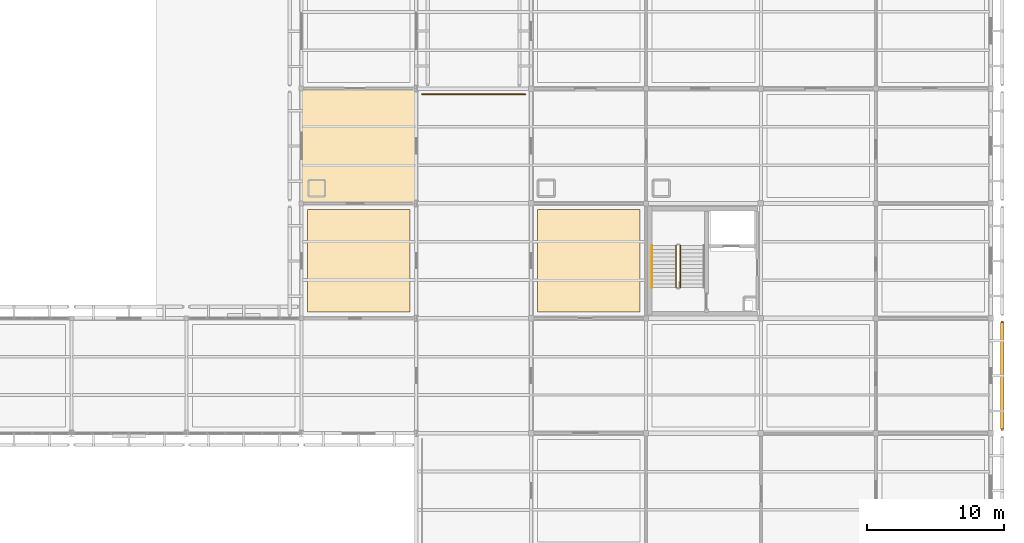
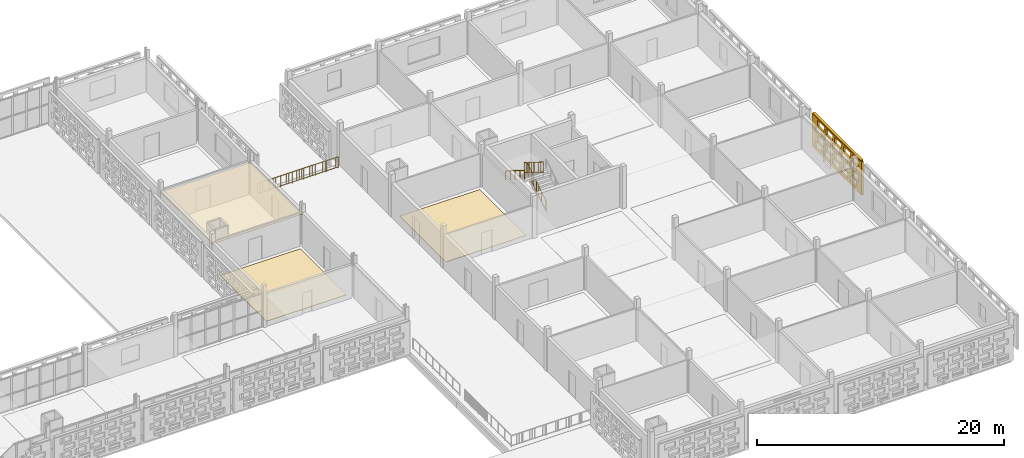
# One storey, part 135 of 140: 4 coverings, 4 railings, 1 shading device, 20 openings.
"""IFC4 building model written with IfcOpenShell, lengths in metres."""

from ifc_helpers import new_model, si_unit, direction, frame, frame_2d, origin, origin_2d, place, context, subcontext, project, spatial, rectangle, circle, extrude, material, layer, layer_set, type_object, element, save


model = new_model("IFC4")

# Units and contexts
model_context = context("Model", 3, precision=1e-05, world=origin(), true_north=direction((0.0, 1.0)))
body_context = subcontext(model_context, "Body", "Model", "MODEL_VIEW")
ifc_project = project(units=[si_unit("LENGTHUNIT", "METRE"), si_unit("AREAUNIT", "SQUARE_METRE"), si_unit("VOLUMEUNIT", "CUBIC_METRE"), si_unit("PLANEANGLEUNIT", "RADIAN"), si_unit("MASSUNIT", "GRAM", prefix="KILO")], contexts=[model_context])

# Site, building, storey
site_placement = place(None, origin())
site = spatial("IfcSite", under=ifc_project, at=site_placement, CompositionType="ELEMENT")
building_placement = place(site_placement, origin())
building = spatial("IfcBuilding", under=site, at=building_placement, Name="Varnapada Polytechnic", CompositionType="ELEMENT")
storey_placement = place(building_placement, frame((0.0, 0.0, 13.800048828125)))
storey = spatial("IfcBuildingStorey", under=building, at=storey_placement, Name="L03", CompositionType="ELEMENT", Elevation=13.800048828125)

# Coverings
ifc_material_1 = material(Name="End-Grain Timber Studio Block Flooring", Category="wood")
ifc_layer_1 = layer(ifc_material_1, 0.054931640625)
ifc_layer_set_1 = layer_set([ifc_layer_1], Name="End-Grain Timber Studio Block Flooring")
covering_type_1 = type_object("IfcCoveringType", Name="Floor Finish FLR-04", PredefinedType="FLOORING", material=ifc_layer_set_1)
covering_1_placement = place(storey_placement, frame((130.199951171875, 96.60009765625, 0.0), z_axis=(0.0, 0.0, 1.0), x_axis=(1.0, 0.0, 0.0)))
element("IfcCovering", 1, at=covering_1_placement, inside=storey, type_object=covering_type_1, Name="L03 floor finish panel (16,12)", PredefinedType="FLOORING", context=body_context, shape_type="SweptSolid", body=[
    extrude(rectangle(XDim=7.5, YDim=7.5, at=origin_2d()), origin(), (0.0, 0.0, 1.0), 0.054931640625),
])
ifc_material_2 = material(Name="Acoustic Rubber Seminar Flooring")
ifc_layer_2 = layer(ifc_material_2, 0.0400390625)
ifc_layer_set_2 = layer_set([ifc_layer_2], Name="Acoustic Rubber Seminar Flooring")
covering_type_2 = type_object("IfcCoveringType", Name="Floor Finish FLR-06", PredefinedType="FLOORING", material=ifc_layer_set_2)
covering_2_placement = place(storey_placement, frame((147.0, 96.60009765625, 0.0), z_axis=(0.0, 0.0, 1.0), x_axis=(1.0, 0.0, 0.0)))
element("IfcCovering", 2, at=covering_2_placement, inside=storey, type_object=covering_type_2, Name="L03 floor finish panel (18,12)", PredefinedType="FLOORING", context=body_context, shape_type="SweptSolid", body=[
    extrude(rectangle(XDim=7.5, YDim=7.5, at=origin_2d()), origin(), (0.0, 0.0, 1.0), 0.0400390625),
])

# Railings
ifc_material_3 = material(Name="Brushed Stainless Steel 316", Category="steel")
railing_type_1 = type_object("IfcRailingType", Name="Stair Wall Handrail SHR-01", PredefinedType="HANDRAIL", material=ifc_material_3)
railing_1_placement = place(storey_placement, frame((151.64990234375, 97.72998046875, 2.27490234375)))
element("IfcRailing", 3, at=railing_1_placement, inside=storey, type_object=railing_type_1, Name="L03 ST-5 stair handrail 2", PredefinedType="HANDRAIL", context=body_context, shape_type="SweptSolid", body=[
    extrude(circle(Radius=0.02392578125, at=origin_2d()), frame((0.0, 0.0, 0.8759765625), z_axis=(0.0, -0.847998304005, 0.529998940003), x_axis=(1.0, 0.0, 0.0)), (0.0, 0.0, 1.0), 3.632080078125),
    extrude(circle(Radius=0.02099609375, at=origin_2d()), origin(), (0.0, 0.0, 1.0), 0.851806640625),
    extrude(circle(Radius=0.02099609375, at=origin_2d()), frame((0.0, -0.77001953125, 0.481201171875)), (0.0, 0.0, 1.0), 0.851806640625),
    extrude(circle(Radius=0.02099609375, at=origin_2d()), frame((0.0, -1.5400390625, 0.96240234375)), (0.0, 0.0, 1.0), 0.851806640625),
    extrude(circle(Radius=0.02099609375, at=origin_2d()), frame((0.0, -2.31005859375, 1.44384765625)), (0.0, 0.0, 1.0), 0.851806640625),
    extrude(circle(Radius=0.02099609375, at=origin_2d()), frame((0.0, -3.080078125, 1.925048828125)), (0.0, 0.0, 1.0), 0.851806640625),
])
railing_type_2 = type_object("IfcRailingType", Name="Stair Well Guard Rail SGR-01", PredefinedType="BALUSTRADE", material=ifc_material_3)
railing_2_placement = place(storey_placement, frame((153.699951171875, 94.64990234375, 0.175048828125)))
element("IfcRailing", 4, at=railing_2_placement, inside=storey, type_object=railing_type_2, Name="L03 ST-5 stair guard 1", PredefinedType="BALUSTRADE", context=body_context, shape_type="SweptSolid", body=[
    extrude(circle(Radius=0.02392578125, at=origin_2d()), frame((0.0, 0.0, 1.09619140625), z_axis=(0.0, 0.848028513186, 0.529950602248), x_axis=(-1.0, 0.0, 0.0)), (0.0, 0.0, 1.0), 3.632080078125),
    extrude(circle(Radius=0.02392578125, at=origin_2d()), frame((0.0, 0.0, 0.10009765625), z_axis=(0.0, 0.848028513186, 0.529950602248), x_axis=(-1.0, 0.0, 0.0)), (0.0, 0.0, 1.0), 3.632080078125),
    extrude(circle(Radius=0.02099609375, at=origin_2d()), origin(), (0.0, 0.0, 1.0), 1.072021484375),
    extrude(circle(Radius=0.02099609375, at=origin_2d()), frame((0.0, 0.77001953125, 0.481201171875)), (0.0, 0.0, 1.0), 1.072021484375),
    extrude(circle(Radius=0.02099609375, at=origin_2d()), frame((0.0, 1.5400390625, 0.96240234375)), (0.0, 0.0, 1.0), 1.072021484375),
    extrude(circle(Radius=0.02099609375, at=origin_2d()), frame((0.0, 2.31005859375, 1.443603515625)), (0.0, 0.0, 1.0), 1.072021484375),
    extrude(circle(Radius=0.02099609375, at=origin_2d()), frame((0.0, 3.080078125, 1.9248046875)), (0.0, 0.0, 1.0), 1.072021484375),
    extrude(circle(Radius=0.010009765625, at=origin_2d()), frame((0.0, 0.205322265625, 0.228515625)), (0.0, 0.0, 1.0), 0.971923828125),
    extrude(circle(Radius=0.010009765625, at=origin_2d()), frame((0.0, 0.41064453125, 0.356689453125)), (0.0, 0.0, 1.0), 0.971923828125),
    extrude(circle(Radius=0.010009765625, at=origin_2d()), frame((0.0, 0.615966796875, 0.485107421875)), (0.0, 0.0, 1.0), 0.971923828125),
    extrude(circle(Radius=0.010009765625, at=origin_2d()), frame((0.0, 0.8212890625, 0.61328125)), (0.0, 0.0, 1.0), 0.971923828125),
    extrude(circle(Radius=0.010009765625, at=origin_2d()), frame((0.0, 1.026611328125, 0.74169921875)), (0.0, 0.0, 1.0), 0.971923828125),
    extrude(circle(Radius=0.010009765625, at=origin_2d()), frame((0.0, 1.23193359375, 0.8701171875)), (0.0, 0.0, 1.0), 0.971923828125),
    extrude(circle(Radius=0.010009765625, at=origin_2d()), frame((0.0, 1.437255859375, 0.998291015625)), (0.0, 0.0, 1.0), 0.971923828125),
    extrude(circle(Radius=0.010009765625, at=origin_2d()), frame((0.0, 1.642822265625, 1.126708984375)), (0.0, 0.0, 1.0), 0.971923828125),
    extrude(circle(Radius=0.010009765625, at=origin_2d()), frame((0.0, 1.84814453125, 1.2548828125)), (0.0, 0.0, 1.0), 0.971923828125),
    extrude(circle(Radius=0.010009765625, at=origin_2d()), frame((0.0, 2.053466796875, 1.38330078125)), (0.0, 0.0, 1.0), 0.971923828125),
    extrude(circle(Radius=0.010009765625, at=origin_2d()), frame((0.0, 2.2587890625, 1.51171875)), (0.0, 0.0, 1.0), 0.971923828125),
    extrude(circle(Radius=0.010009765625, at=origin_2d()), frame((0.0, 2.464111328125, 1.639892578125)), (0.0, 0.0, 1.0), 0.971923828125),
    extrude(circle(Radius=0.010009765625, at=origin_2d()), frame((0.0, 2.66943359375, 1.768310546875)), (0.0, 0.0, 1.0), 0.971923828125),
    extrude(circle(Radius=0.010009765625, at=origin_2d()), frame((0.0, 2.874755859375, 1.896484375)), (0.0, 0.0, 1.0), 0.971923828125),
])
railing_3_placement = place(storey_placement, frame((153.39990234375, 97.72998046875, 2.27490234375)))
element("IfcRailing", 5, at=railing_3_placement, inside=storey, type_object=railing_type_2, Name="L03 ST-5 stair guard 3", PredefinedType="BALUSTRADE", context=body_context, shape_type="SweptSolid", body=[
    extrude(circle(Radius=0.02392578125, at=origin_2d()), frame((0.0, 0.0, 1.09619140625), z_axis=(0.0, -0.847998304005, 0.529998940003), x_axis=(1.0, 0.0, 0.0)), (0.0, 0.0, 1.0), 3.632080078125),
    extrude(circle(Radius=0.02392578125, at=origin_2d()), frame((0.0, 0.0, 0.10009765625), z_axis=(0.0, -0.847998304005, 0.529998940003), x_axis=(1.0, 0.0, 0.0)), (0.0, 0.0, 1.0), 3.632080078125),
    extrude(circle(Radius=0.02099609375, at=origin_2d()), origin(), (0.0, 0.0, 1.0), 1.072021484375),
    extrude(circle(Radius=0.02099609375, at=origin_2d()), frame((0.0, -0.77001953125, 0.481201171875)), (0.0, 0.0, 1.0), 1.072021484375),
    extrude(circle(Radius=0.02099609375, at=origin_2d()), frame((0.0, -1.5400390625, 0.96240234375)), (0.0, 0.0, 1.0), 1.072021484375),
    extrude(circle(Radius=0.02099609375, at=origin_2d()), frame((0.0, -2.31005859375, 1.44384765625)), (0.0, 0.0, 1.0), 1.072021484375),
    extrude(circle(Radius=0.02099609375, at=origin_2d()), frame((0.0, -3.080078125, 1.925048828125)), (0.0, 0.0, 1.0), 1.072021484375),
    extrude(circle(Radius=0.010009765625, at=origin_2d()), frame((0.0, -0.205322265625, 0.228515625)), (0.0, 0.0, 1.0), 0.971923828125),
    extrude(circle(Radius=0.010009765625, at=origin_2d()), frame((0.0, -0.41064453125, 0.356689453125)), (0.0, 0.0, 1.0), 0.971923828125),
    extrude(circle(Radius=0.010009765625, at=origin_2d()), frame((0.0, -0.615966796875, 0.485107421875)), (0.0, 0.0, 1.0), 0.971923828125),
    extrude(circle(Radius=0.010009765625, at=origin_2d()), frame((0.0, -0.8212890625, 0.613525390625)), (0.0, 0.0, 1.0), 0.971923828125),
    extrude(circle(Radius=0.010009765625, at=origin_2d()), frame((0.0, -1.026611328125, 0.74169921875)), (0.0, 0.0, 1.0), 0.971923828125),
    extrude(circle(Radius=0.010009765625, at=origin_2d()), frame((0.0, -1.23193359375, 0.8701171875)), (0.0, 0.0, 1.0), 0.971923828125),
    extrude(circle(Radius=0.010009765625, at=origin_2d()), frame((0.0, -1.437255859375, 0.99853515625)), (0.0, 0.0, 1.0), 0.971923828125),
    extrude(circle(Radius=0.010009765625, at=origin_2d()), frame((0.0, -1.642822265625, 1.126708984375)), (0.0, 0.0, 1.0), 0.971923828125),
    extrude(circle(Radius=0.010009765625, at=origin_2d()), frame((0.0, -1.84814453125, 1.255126953125)), (0.0, 0.0, 1.0), 0.971923828125),
    extrude(circle(Radius=0.010009765625, at=origin_2d()), frame((0.0, -2.053466796875, 1.383544921875)), (0.0, 0.0, 1.0), 0.971923828125),
    extrude(circle(Radius=0.010009765625, at=origin_2d()), frame((0.0, -2.2587890625, 1.51171875)), (0.0, 0.0, 1.0), 0.971923828125),
    extrude(circle(Radius=0.010009765625, at=origin_2d()), frame((0.0, -2.464111328125, 1.64013671875)), (0.0, 0.0, 1.0), 0.971923828125),
    extrude(circle(Radius=0.010009765625, at=origin_2d()), frame((0.0, -2.66943359375, 1.7685546875)), (0.0, 0.0, 1.0), 0.971923828125),
    extrude(circle(Radius=0.010009765625, at=origin_2d()), frame((0.0, -2.874755859375, 1.896728515625)), (0.0, 0.0, 1.0), 0.971923828125),
])

# Covering
ifc_material_4 = material(Name="Deep Acoustic Auditorium Cloud Baffle")
ifc_layer_3 = layer(ifc_material_4, 0.06494140625)
ifc_layer_set_3 = layer_set([ifc_layer_3], Name="Deep Acoustic Auditorium Cloud Baffle")
covering_type_3 = type_object("IfcCoveringType", Name="Suspended Ceiling CLG-07", PredefinedType="CEILING", material=ifc_layer_set_3)
covering_3_placement = place(storey_placement, frame((130.199951171875, 105.0, 3.017578125), z_axis=(0.0, 0.0, 1.0), x_axis=(1.0, 0.0, 0.0)))
element("IfcCovering", 6, at=covering_3_placement, inside=storey, type_object=covering_type_3, Name="L03 suspended acoustic ceiling (16,13)", PredefinedType="CEILING", context=body_context, shape_type="SweptSolid", body=[
    extrude(rectangle(XDim=8.419921875, YDim=8.419921875, at=origin_2d()), origin(), (0.0, 0.0, 1.0), 0.06494140625),
])

# Railing
ifc_material_5 = material(Name="Painted galvanized steel", Category="steel")
railing_type_3 = type_object("IfcRailingType", Name="Terrace Guard Rail GRD-01", PredefinedType="BALUSTRADE", material=ifc_material_5)
railing_4_placement = place(storey_placement, frame((134.820068359375, 108.780029296875, 0.0)))
element("IfcRailing", 7, at=railing_4_placement, inside=storey, type_object=railing_type_3, Name="L03 terrace perimeter guard rail 10", PredefinedType="BALUSTRADE", context=body_context, shape_type="SweptSolid", body=[
    extrude(circle(Radius=0.02392578125, at=origin_2d()), frame((0.0, 0.0, 1.09619140625), z_axis=(1.0, 0.0, 0.0), x_axis=(0.0, 1.0, 0.0)), (0.0, 0.0, 1.0), 7.559814453125),
    extrude(circle(Radius=0.02392578125, at=origin_2d()), frame((0.0, 0.0, 0.10009765625), z_axis=(1.0, 0.0, 0.0), x_axis=(0.0, 1.0, 0.0)), (0.0, 0.0, 1.0), 7.559814453125),
    extrude(circle(Radius=0.02099609375, at=origin_2d()), origin(), (0.0, 0.0, 1.0), 1.072021484375),
    extrude(circle(Radius=0.02099609375, at=origin_2d()), frame((1.080078125, 0.0, 0.0)), (0.0, 0.0, 1.0), 1.072021484375),
    extrude(circle(Radius=0.02099609375, at=origin_2d()), frame((2.159912109375, 0.0, 0.0)), (0.0, 0.0, 1.0), 1.072021484375),
    extrude(circle(Radius=0.02099609375, at=origin_2d()), frame((3.239990234375, 0.0, 0.0)), (0.0, 0.0, 1.0), 1.072021484375),
    extrude(circle(Radius=0.02099609375, at=origin_2d()), frame((4.31982421875, 0.0, 0.0)), (0.0, 0.0, 1.0), 1.072021484375),
    extrude(circle(Radius=0.02099609375, at=origin_2d()), frame((5.39990234375, 0.0, 0.0)), (0.0, 0.0, 1.0), 1.072021484375),
    extrude(circle(Radius=0.02099609375, at=origin_2d()), frame((6.479736328125, 0.0, 0.0)), (0.0, 0.0, 1.0), 1.072021484375),
    extrude(circle(Radius=0.02099609375, at=origin_2d()), frame((7.559814453125, 0.0, 0.0)), (0.0, 0.0, 1.0), 1.072021484375),
    extrude(circle(Radius=0.010009765625, at=origin_2d()), frame((0.243896484375, 0.0, 0.10009765625)), (0.0, 0.0, 1.0), 0.971923828125),
    extrude(circle(Radius=0.010009765625, at=origin_2d()), frame((0.48779296875, 0.0, 0.10009765625)), (0.0, 0.0, 1.0), 0.971923828125),
    extrude(circle(Radius=0.010009765625, at=origin_2d()), frame((0.731689453125, 0.0, 0.10009765625)), (0.0, 0.0, 1.0), 0.971923828125),
    extrude(circle(Radius=0.010009765625, at=origin_2d()), frame((0.975341796875, 0.0, 0.10009765625)), (0.0, 0.0, 1.0), 0.971923828125),
    extrude(circle(Radius=0.010009765625, at=origin_2d()), frame((1.21923828125, 0.0, 0.10009765625)), (0.0, 0.0, 1.0), 0.971923828125),
    extrude(circle(Radius=0.010009765625, at=origin_2d()), frame((1.463134765625, 0.0, 0.10009765625)), (0.0, 0.0, 1.0), 0.971923828125),
    extrude(circle(Radius=0.010009765625, at=origin_2d()), frame((1.70703125, 0.0, 0.10009765625)), (0.0, 0.0, 1.0), 0.971923828125),
    extrude(circle(Radius=0.010009765625, at=origin_2d()), frame((1.950927734375, 0.0, 0.10009765625)), (0.0, 0.0, 1.0), 0.971923828125),
    extrude(circle(Radius=0.010009765625, at=origin_2d()), frame((2.19482421875, 0.0, 0.10009765625)), (0.0, 0.0, 1.0), 0.971923828125),
    extrude(circle(Radius=0.010009765625, at=origin_2d()), frame((2.438720703125, 0.0, 0.10009765625)), (0.0, 0.0, 1.0), 0.971923828125),
    extrude(circle(Radius=0.010009765625, at=origin_2d()), frame((2.6826171875, 0.0, 0.10009765625)), (0.0, 0.0, 1.0), 0.971923828125),
    extrude(circle(Radius=0.010009765625, at=origin_2d()), frame((2.92626953125, 0.0, 0.10009765625)), (0.0, 0.0, 1.0), 0.971923828125),
    extrude(circle(Radius=0.010009765625, at=origin_2d()), frame((3.170166015625, 0.0, 0.10009765625)), (0.0, 0.0, 1.0), 0.971923828125),
    extrude(circle(Radius=0.010009765625, at=origin_2d()), frame((3.4140625, 0.0, 0.10009765625)), (0.0, 0.0, 1.0), 0.971923828125),
    extrude(circle(Radius=0.010009765625, at=origin_2d()), frame((3.657958984375, 0.0, 0.10009765625)), (0.0, 0.0, 1.0), 0.971923828125),
    extrude(circle(Radius=0.010009765625, at=origin_2d()), frame((3.90185546875, 0.0, 0.10009765625)), (0.0, 0.0, 1.0), 0.971923828125),
    extrude(circle(Radius=0.010009765625, at=origin_2d()), frame((4.145751953125, 0.0, 0.10009765625)), (0.0, 0.0, 1.0), 0.971923828125),
    extrude(circle(Radius=0.010009765625, at=origin_2d()), frame((4.3896484375, 0.0, 0.10009765625)), (0.0, 0.0, 1.0), 0.971923828125),
    extrude(circle(Radius=0.010009765625, at=origin_2d()), frame((4.633544921875, 0.0, 0.10009765625)), (0.0, 0.0, 1.0), 0.971923828125),
    extrude(circle(Radius=0.010009765625, at=origin_2d()), frame((4.877197265625, 0.0, 0.10009765625)), (0.0, 0.0, 1.0), 0.971923828125),
    extrude(circle(Radius=0.010009765625, at=origin_2d()), frame((5.12109375, 0.0, 0.10009765625)), (0.0, 0.0, 1.0), 0.971923828125),
    extrude(circle(Radius=0.010009765625, at=origin_2d()), frame((5.364990234375, 0.0, 0.10009765625)), (0.0, 0.0, 1.0), 0.971923828125),
    extrude(circle(Radius=0.010009765625, at=origin_2d()), frame((5.60888671875, 0.0, 0.10009765625)), (0.0, 0.0, 1.0), 0.971923828125),
    extrude(circle(Radius=0.010009765625, at=origin_2d()), frame((5.852783203125, 0.0, 0.10009765625)), (0.0, 0.0, 1.0), 0.971923828125),
    extrude(circle(Radius=0.010009765625, at=origin_2d()), frame((6.0966796875, 0.0, 0.10009765625)), (0.0, 0.0, 1.0), 0.971923828125),
    extrude(circle(Radius=0.010009765625, at=origin_2d()), frame((6.340576171875, 0.0, 0.10009765625)), (0.0, 0.0, 1.0), 0.971923828125),
    extrude(circle(Radius=0.010009765625, at=origin_2d()), frame((6.58447265625, 0.0, 0.10009765625)), (0.0, 0.0, 1.0), 0.971923828125),
    extrude(circle(Radius=0.010009765625, at=origin_2d()), frame((6.828125, 0.0, 0.10009765625)), (0.0, 0.0, 1.0), 0.971923828125),
    extrude(circle(Radius=0.010009765625, at=origin_2d()), frame((7.072021484375, 0.0, 0.10009765625)), (0.0, 0.0, 1.0), 0.971923828125),
    extrude(circle(Radius=0.010009765625, at=origin_2d()), frame((7.31591796875, 0.0, 0.10009765625)), (0.0, 0.0, 1.0), 0.971923828125),
])

# Covering, openings
ifc_material_6 = material(Name="Earth-toned architectural terracotta screen block", Category="masonry")
ifc_layer_4 = layer(ifc_material_6, 0.1201171875)
ifc_layer_set_4 = layer_set([ifc_layer_4], Name="Earth-toned architectural terracotta screen block")
covering_type_4 = type_object("IfcCoveringType", Name="Terracotta Screen Cladding CLD-01", PredefinedType="CLADDING", material=ifc_layer_set_4)
covering_4_placement = place(storey_placement, frame((177.25, 92.199951171875, 0.0), z_axis=(0.0, 0.0, 1.0), x_axis=(0.0, -1.0, 0.0)))
covering_4 = element("IfcCovering", 8, at=covering_4_placement, inside=storey, type_object=covering_type_4, Name="L03 perforated terracotta block screen (96)", PredefinedType="CLADDING", context=body_context, shape_type="SweptSolid", body=[
    extrude(rectangle(XDim=8.0, YDim=0.179931640625, at=frame_2d((4.0, 0.0))), origin(), (0.0, 0.0, 1.0), 3.320068359375),
])
opening_1_placement = place(covering_4_placement, frame((0.5, 0.0, 0.265625)))
element("IfcOpeningElement", 9, at=opening_1_placement, cuts=covering_4, Name="Screen perforation TBS-L03-095.1", PredefinedType="OPENING", context=body_context, shape_type="SweptSolid", body=[
    extrude(rectangle(XDim=1.0400390625, YDim=0.5810546875, at=frame_2d((0.52001953125, 0.29052734375))), frame((0.0, 0.099853515625, 0.0), z_axis=(0.0, -1.0, 0.0), x_axis=(1.0, 0.0, 0.0)), (0.0, 0.0, 1.0), 0.199951171875),
])
opening_2_placement = place(covering_4_placement, frame((1.89990234375, 0.0, 0.265625)))
element("IfcOpeningElement", 10, at=opening_2_placement, cuts=covering_4, Name="Screen perforation TBS-L03-095.2", PredefinedType="OPENING", context=body_context, shape_type="SweptSolid", body=[
    extrude(rectangle(XDim=1.0400390625, YDim=0.5810546875, at=frame_2d((0.52001953125, 0.29052734375))), frame((0.0, 0.099853515625, 0.0), z_axis=(0.0, -1.0, 0.0), x_axis=(1.0, 0.0, 0.0)), (0.0, 0.0, 1.0), 0.199951171875),
])
opening_3_placement = place(covering_4_placement, frame((3.300048828125, 0.0, 0.265625)))
element("IfcOpeningElement", 11, at=opening_3_placement, cuts=covering_4, Name="Screen perforation TBS-L03-095.3", PredefinedType="OPENING", context=body_context, shape_type="SweptSolid", body=[
    extrude(rectangle(XDim=1.0400390625, YDim=0.5810546875, at=frame_2d((0.52001953125, 0.29052734375))), frame((0.0, 0.099853515625, 0.0), z_axis=(0.0, -1.0, 0.0), x_axis=(1.0, 0.0, 0.0)), (0.0, 0.0, 1.0), 0.199951171875),
])
opening_4_placement = place(covering_4_placement, frame((4.699951171875, 0.0, 0.265625)))
element("IfcOpeningElement", 12, at=opening_4_placement, cuts=covering_4, Name="Screen perforation TBS-L03-095.4", PredefinedType="OPENING", context=body_context, shape_type="SweptSolid", body=[
    extrude(rectangle(XDim=1.0400390625, YDim=0.5810546875, at=frame_2d((0.52001953125, 0.29052734375))), frame((0.0, 0.099853515625, 0.0), z_axis=(0.0, -1.0, 0.0), x_axis=(1.0, 0.0, 0.0)), (0.0, 0.0, 1.0), 0.199951171875),
])
opening_5_placement = place(covering_4_placement, frame((6.10009765625, 0.0, 0.265625)))
element("IfcOpeningElement", 13, at=opening_5_placement, cuts=covering_4, Name="Screen perforation TBS-L03-095.5", PredefinedType="OPENING", context=body_context, shape_type="SweptSolid", body=[
    extrude(rectangle(XDim=1.0400390625, YDim=0.5810546875, at=frame_2d((0.52001953125, 0.29052734375))), frame((0.0, 0.099853515625, 0.0), z_axis=(0.0, -1.0, 0.0), x_axis=(1.0, 0.0, 0.0)), (0.0, 0.0, 1.0), 0.199951171875),
])
opening_6_placement = place(covering_4_placement, frame((0.860107421875, 0.0, 1.0126953125)))
element("IfcOpeningElement", 14, at=opening_6_placement, cuts=covering_4, Name="Screen perforation TBS-L03-095.6", PredefinedType="OPENING", context=body_context, shape_type="SweptSolid", body=[
    extrude(rectangle(XDim=1.0400390625, YDim=0.5810546875, at=frame_2d((0.52001953125, 0.29052734375))), frame((0.0, 0.099853515625, 0.0), z_axis=(0.0, -1.0, 0.0), x_axis=(1.0, 0.0, 0.0)), (0.0, 0.0, 1.0), 0.199951171875),
])
opening_7_placement = place(covering_4_placement, frame((2.260009765625, 0.0, 1.0126953125)))
element("IfcOpeningElement", 15, at=opening_7_placement, cuts=covering_4, Name="Screen perforation TBS-L03-095.7", PredefinedType="OPENING", context=body_context, shape_type="SweptSolid", body=[
    extrude(rectangle(XDim=1.0400390625, YDim=0.5810546875, at=frame_2d((0.52001953125, 0.29052734375))), frame((0.0, 0.099853515625, 0.0), z_axis=(0.0, -1.0, 0.0), x_axis=(1.0, 0.0, 0.0)), (0.0, 0.0, 1.0), 0.199951171875),
])
opening_8_placement = place(covering_4_placement, frame((3.659912109375, 0.0, 1.0126953125)))
element("IfcOpeningElement", 16, at=opening_8_placement, cuts=covering_4, Name="Screen perforation TBS-L03-095.8", PredefinedType="OPENING", context=body_context, shape_type="SweptSolid", body=[
    extrude(rectangle(XDim=1.0400390625, YDim=0.5810546875, at=frame_2d((0.52001953125, 0.29052734375))), frame((0.0, 0.099853515625, 0.0), z_axis=(0.0, -1.0, 0.0), x_axis=(1.0, 0.0, 0.0)), (0.0, 0.0, 1.0), 0.199951171875),
])
opening_9_placement = place(covering_4_placement, frame((5.06005859375, 0.0, 1.0126953125)))
element("IfcOpeningElement", 17, at=opening_9_placement, cuts=covering_4, Name="Screen perforation TBS-L03-095.9", PredefinedType="OPENING", context=body_context, shape_type="SweptSolid", body=[
    extrude(rectangle(XDim=1.0400390625, YDim=0.5810546875, at=frame_2d((0.52001953125, 0.29052734375))), frame((0.0, 0.099853515625, 0.0), z_axis=(0.0, -1.0, 0.0), x_axis=(1.0, 0.0, 0.0)), (0.0, 0.0, 1.0), 0.199951171875),
])
opening_10_placement = place(covering_4_placement, frame((6.4599609375, 0.0, 1.0126953125)))
element("IfcOpeningElement", 18, at=opening_10_placement, cuts=covering_4, Name="Screen perforation TBS-L03-095.10", PredefinedType="OPENING", context=body_context, shape_type="SweptSolid", body=[
    extrude(rectangle(XDim=1.0400390625, YDim=0.5810546875, at=frame_2d((0.52001953125, 0.29052734375))), frame((0.0, 0.099853515625, 0.0), z_axis=(0.0, -1.0, 0.0), x_axis=(1.0, 0.0, 0.0)), (0.0, 0.0, 1.0), 0.199951171875),
])
opening_11_placement = place(covering_4_placement, frame((0.5, 0.0, 1.759521484375)))
element("IfcOpeningElement", 19, at=opening_11_placement, cuts=covering_4, Name="Screen perforation TBS-L03-095.11", PredefinedType="OPENING", context=body_context, shape_type="SweptSolid", body=[
    extrude(rectangle(XDim=1.0400390625, YDim=0.5810546875, at=frame_2d((0.52001953125, 0.29052734375))), frame((0.0, 0.099853515625, 0.0), z_axis=(0.0, -1.0, 0.0), x_axis=(1.0, 0.0, 0.0)), (0.0, 0.0, 1.0), 0.199951171875),
])
opening_12_placement = place(covering_4_placement, frame((1.89990234375, 0.0, 1.759521484375)))
element("IfcOpeningElement", 20, at=opening_12_placement, cuts=covering_4, Name="Screen perforation TBS-L03-095.12", PredefinedType="OPENING", context=body_context, shape_type="SweptSolid", body=[
    extrude(rectangle(XDim=1.0400390625, YDim=0.5810546875, at=frame_2d((0.52001953125, 0.29052734375))), frame((0.0, 0.099853515625, 0.0), z_axis=(0.0, -1.0, 0.0), x_axis=(1.0, 0.0, 0.0)), (0.0, 0.0, 1.0), 0.199951171875),
])
opening_13_placement = place(covering_4_placement, frame((3.300048828125, 0.0, 1.759521484375)))
element("IfcOpeningElement", 21, at=opening_13_placement, cuts=covering_4, Name="Screen perforation TBS-L03-095.13", PredefinedType="OPENING", context=body_context, shape_type="SweptSolid", body=[
    extrude(rectangle(XDim=1.0400390625, YDim=0.5810546875, at=frame_2d((0.52001953125, 0.29052734375))), frame((0.0, 0.099853515625, 0.0), z_axis=(0.0, -1.0, 0.0), x_axis=(1.0, 0.0, 0.0)), (0.0, 0.0, 1.0), 0.199951171875),
])
opening_14_placement = place(covering_4_placement, frame((4.699951171875, 0.0, 1.759521484375)))
element("IfcOpeningElement", 22, at=opening_14_placement, cuts=covering_4, Name="Screen perforation TBS-L03-095.14", PredefinedType="OPENING", context=body_context, shape_type="SweptSolid", body=[
    extrude(rectangle(XDim=1.0400390625, YDim=0.5810546875, at=frame_2d((0.52001953125, 0.29052734375))), frame((0.0, 0.099853515625, 0.0), z_axis=(0.0, -1.0, 0.0), x_axis=(1.0, 0.0, 0.0)), (0.0, 0.0, 1.0), 0.199951171875),
])
opening_15_placement = place(covering_4_placement, frame((6.10009765625, 0.0, 1.759521484375)))
element("IfcOpeningElement", 23, at=opening_15_placement, cuts=covering_4, Name="Screen perforation TBS-L03-095.15", PredefinedType="OPENING", context=body_context, shape_type="SweptSolid", body=[
    extrude(rectangle(XDim=1.0400390625, YDim=0.5810546875, at=frame_2d((0.52001953125, 0.29052734375))), frame((0.0, 0.099853515625, 0.0), z_axis=(0.0, -1.0, 0.0), x_axis=(1.0, 0.0, 0.0)), (0.0, 0.0, 1.0), 0.199951171875),
])
opening_16_placement = place(covering_4_placement, frame((0.860107421875, 0.0, 2.506591796875)))
element("IfcOpeningElement", 24, at=opening_16_placement, cuts=covering_4, Name="Screen perforation TBS-L03-095.16", PredefinedType="OPENING", context=body_context, shape_type="SweptSolid", body=[
    extrude(rectangle(XDim=1.0400390625, YDim=0.5810546875, at=frame_2d((0.52001953125, 0.29052734375))), frame((0.0, 0.099853515625, 0.0), z_axis=(0.0, -1.0, 0.0), x_axis=(1.0, 0.0, 0.0)), (0.0, 0.0, 1.0), 0.199951171875),
])
opening_17_placement = place(covering_4_placement, frame((2.260009765625, 0.0, 2.506591796875)))
element("IfcOpeningElement", 25, at=opening_17_placement, cuts=covering_4, Name="Screen perforation TBS-L03-095.17", PredefinedType="OPENING", context=body_context, shape_type="SweptSolid", body=[
    extrude(rectangle(XDim=1.0400390625, YDim=0.5810546875, at=frame_2d((0.52001953125, 0.29052734375))), frame((0.0, 0.099853515625, 0.0), z_axis=(0.0, -1.0, 0.0), x_axis=(1.0, 0.0, 0.0)), (0.0, 0.0, 1.0), 0.199951171875),
])
opening_18_placement = place(covering_4_placement, frame((3.659912109375, 0.0, 2.506591796875)))
element("IfcOpeningElement", 26, at=opening_18_placement, cuts=covering_4, Name="Screen perforation TBS-L03-095.18", PredefinedType="OPENING", context=body_context, shape_type="SweptSolid", body=[
    extrude(rectangle(XDim=1.0400390625, YDim=0.5810546875, at=frame_2d((0.52001953125, 0.29052734375))), frame((0.0, 0.099853515625, 0.0), z_axis=(0.0, -1.0, 0.0), x_axis=(1.0, 0.0, 0.0)), (0.0, 0.0, 1.0), 0.199951171875),
])
opening_19_placement = place(covering_4_placement, frame((5.06005859375, 0.0, 2.506591796875)))
element("IfcOpeningElement", 27, at=opening_19_placement, cuts=covering_4, Name="Screen perforation TBS-L03-095.19", PredefinedType="OPENING", context=body_context, shape_type="SweptSolid", body=[
    extrude(rectangle(XDim=1.0400390625, YDim=0.5810546875, at=frame_2d((0.52001953125, 0.29052734375))), frame((0.0, 0.099853515625, 0.0), z_axis=(0.0, -1.0, 0.0), x_axis=(1.0, 0.0, 0.0)), (0.0, 0.0, 1.0), 0.199951171875),
])
opening_20_placement = place(covering_4_placement, frame((6.4599609375, 0.0, 2.506591796875)))
element("IfcOpeningElement", 28, at=opening_20_placement, cuts=covering_4, Name="Screen perforation TBS-L03-095.20", PredefinedType="OPENING", context=body_context, shape_type="SweptSolid", body=[
    extrude(rectangle(XDim=1.0400390625, YDim=0.5810546875, at=frame_2d((0.52001953125, 0.29052734375))), frame((0.0, 0.099853515625, 0.0), z_axis=(0.0, -1.0, 0.0), x_axis=(1.0, 0.0, 0.0)), (0.0, 0.0, 1.0), 0.199951171875),
])

# Shading device
ifc_layer_5 = layer(ifc_material_6, 0.179931640625)
ifc_layer_set_5 = layer_set([ifc_layer_5], Name="Earth-toned architectural terracotta screen block")
shading_device_type = type_object("IfcShadingDeviceType", Name="Terracotta Screen SCR-01", PredefinedType="USERDEFINED", material=ifc_layer_set_5)
shading_device_placement = place(storey_placement, frame((177.25, 88.199951171875, 3.309814453125), z_axis=(0.0, 0.0, 1.0), x_axis=(0.0, -1.0, 0.0)))
element("IfcShadingDevice", 29, at=shading_device_placement, inside=storey, type_object=shading_device_type, Name="L03 perforated terracotta screen hood 418", ObjectType="SCREEN", PredefinedType="USERDEFINED", context=body_context, shape_type="SweptSolid", body=[
    extrude(rectangle(XDim=7.800048828125, YDim=0.239990234375, at=origin_2d()), origin(), (0.0, 0.0, 1.0), 0.10009765625),
])

save(model, "model.ifc")
